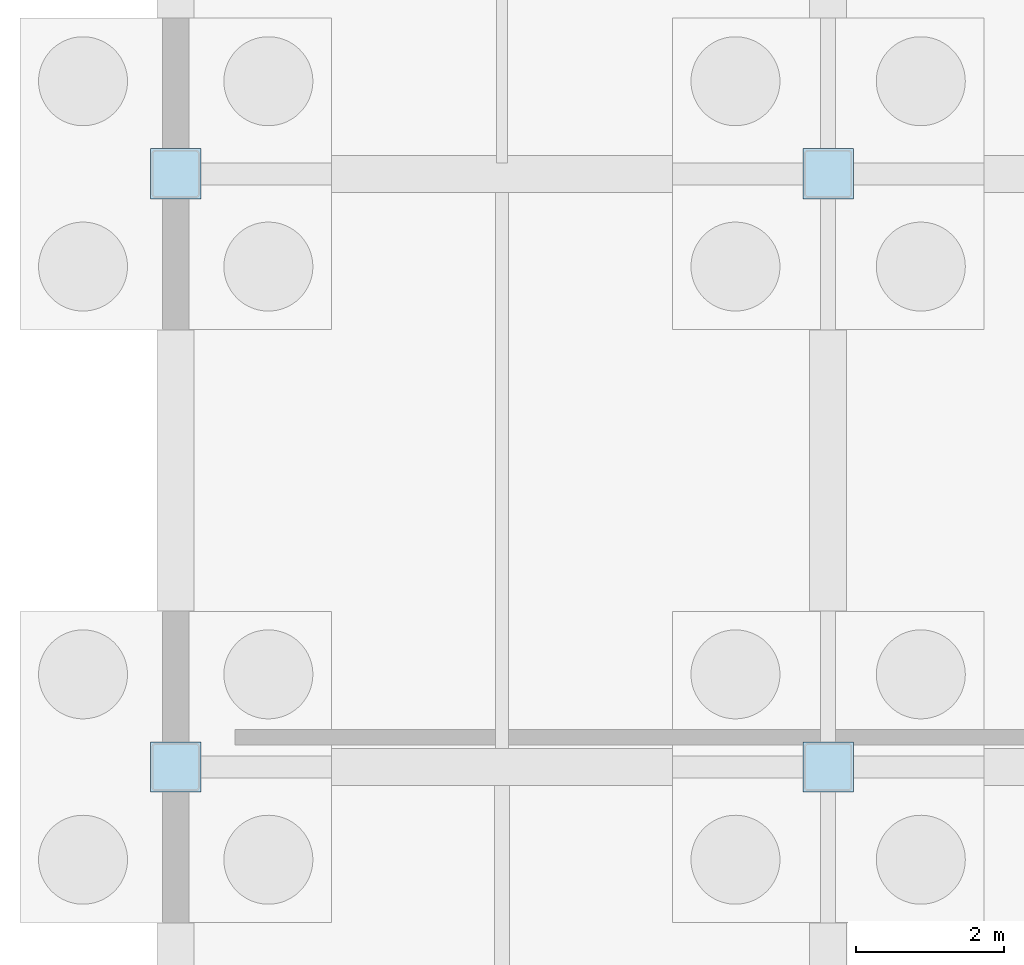
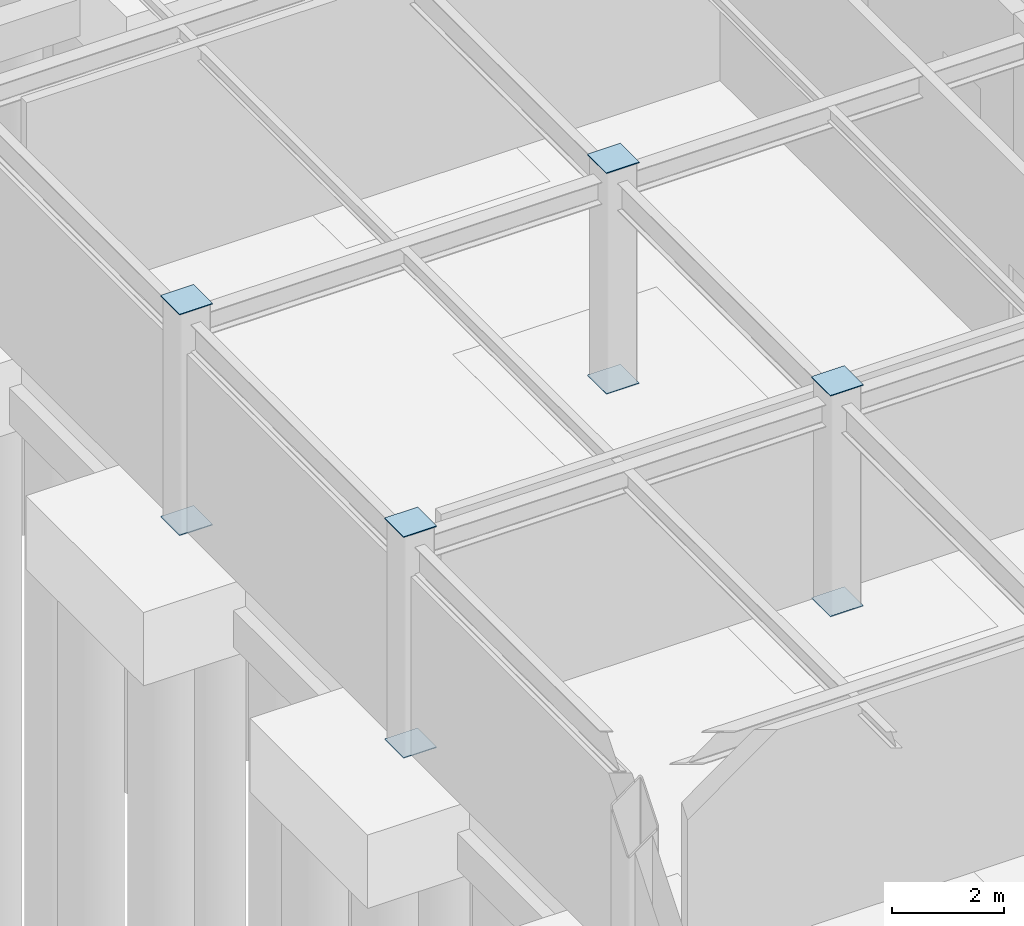
# One storey, part 47 of 72: 8 plates.
"""IFC4 building model written with IfcOpenShell, lengths in metres."""

from ifc_helpers import new_model, si_unit, direction, frame, origin, origin_2d, place, context, subcontext, project, spatial, rectangle, extrude, material, layer, layer_set, type_object, element, save


model = new_model("IFC4")

# Units and contexts
model_context = context("Model", 3, precision=1e-05, world=origin(), true_north=direction((0.0, 1.0)))
body_context = subcontext(model_context, "Body", "Model", "MODEL_VIEW")
ifc_project = project(units=[si_unit("LENGTHUNIT", "METRE"), si_unit("AREAUNIT", "SQUARE_METRE"), si_unit("VOLUMEUNIT", "CUBIC_METRE"), si_unit("PLANEANGLEUNIT", "RADIAN"), si_unit("MASSUNIT", "GRAM", prefix="KILO")], contexts=[model_context])

# Site, building, storey
site_placement = place(None, origin())
site = spatial("IfcSite", under=ifc_project, at=site_placement, CompositionType="ELEMENT")
building_placement = place(site_placement, origin())
building = spatial("IfcBuilding", under=site, at=building_placement, Name="Zhaolan Boulevard Law Courts", CompositionType="ELEMENT")
storey_placement = place(building_placement, frame((0.0, 0.0, -4.800048828125)))
storey = spatial("IfcBuildingStorey", under=building, at=storey_placement, Name="B1", CompositionType="ELEMENT", Elevation=-4.800048828125)

# Plates
ifc_material = material(Name="Structural steel Q355B", Category="steel")
ifc_layer = layer(ifc_material, 0.02001953125)
ifc_layer_set = layer_set([ifc_layer])
plate_type = type_object("IfcPlateType", Name="END CAP PLATE 20", PredefinedType="SHEET", material=ifc_layer_set)
for number, where, z_axis, x_axis, name in (
    (1, (0.0, 54.0, -0.01806640625), (0.0, 0.0, 1.0), (1.0, 0.0, 0.0), "Hollow Section End-Cap Plate ECP-0065"),
    (2, (0.0, 54.0, 4.798095703125), (0.0, 0.0, 1.0), (1.0, 0.0, 0.0), "Hollow Section End-Cap Plate ECP-0066"),
    (3, (0.0, 62.0, -0.01806640625), (0.0, 0.0, 1.0), (1.0, 0.0, 0.0), "Hollow Section End-Cap Plate ECP-0087"),
    (4, (0.0, 62.0, 4.798095703125), (0.0, 0.0, 1.0), (1.0, 0.0, 0.0), "Hollow Section End-Cap Plate ECP-0088"),
    (5, (8.800048828125, 54.0, -0.01806640625), (0.0, 0.0, 1.0), (1.0, 0.0, 0.0), "Hollow Section End-Cap Plate ECP-0199"),
    (6, (8.800048828125, 54.0, 4.798095703125), (0.0, 0.0, 1.0), (1.0, 0.0, 0.0), "Hollow Section End-Cap Plate ECP-0200"),
    (7, (8.800048828125, 62.0, -0.01806640625), (0.0, 0.0, 1.0), (1.0, 0.0, 0.0), "Hollow Section End-Cap Plate ECP-0221"),
    (8, (8.800048828125, 62.0, 4.798095703125), (0.0, 0.0, 1.0), (1.0, 0.0, 0.0), "Hollow Section End-Cap Plate ECP-0222"),
):
    element("IfcPlate", number, at=place(storey_placement, frame(where, z_axis=z_axis, x_axis=x_axis)), inside=storey, type_object=plate_type, Name=name, PredefinedType="SHEET", context=body_context, shape_type="SweptSolid", body=[
        extrude(rectangle(XDim=0.679931640625, YDim=0.679931640625, at=origin_2d()), origin(), (0.0, 0.0, 1.0), 0.02001953125),
    ])

save(model, "model.ifc")
